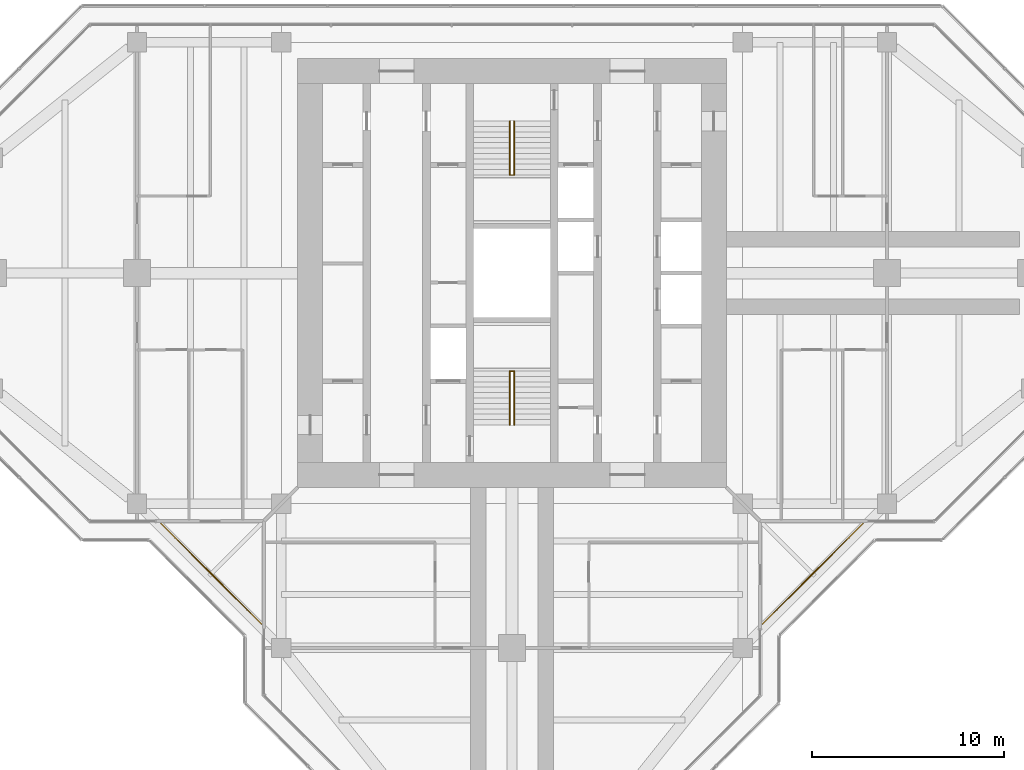
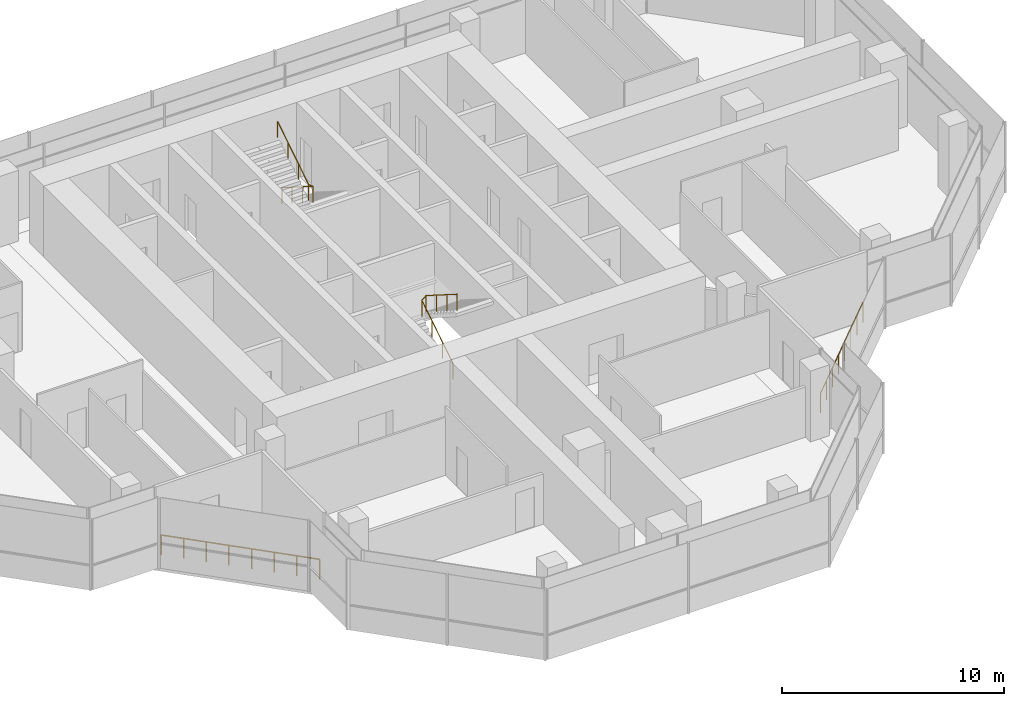
# One storey, part 16 of 16: 4 railings.
"""IFC4 building model written with IfcOpenShell, lengths in metres."""

from ifc_helpers import new_model, si_unit, direction, frame, origin, origin_2d, place, context, subcontext, project, spatial, circle, extrude, material, type_object, element, save


model = new_model("IFC4")

# Units and contexts
model_context = context("Model", 3, precision=1e-05, world=origin(), true_north=direction((0.0, 1.0)))
body_context = subcontext(model_context, "Body", "Model", "MODEL_VIEW")
ifc_project = project(units=[si_unit("LENGTHUNIT", "METRE"), si_unit("AREAUNIT", "SQUARE_METRE"), si_unit("VOLUMEUNIT", "CUBIC_METRE"), si_unit("PLANEANGLEUNIT", "RADIAN"), si_unit("MASSUNIT", "GRAM", prefix="KILO")], contexts=[model_context])

# Site, building, storey
site_placement = place(None, origin())
site = spatial("IfcSite", under=ifc_project, at=site_placement, CompositionType="ELEMENT")
building_placement = place(site_placement, origin())
building = spatial("IfcBuilding", under=site, at=building_placement, Name="Mizan Broadcast Tower", CompositionType="ELEMENT")
storey_placement = place(building_placement, frame((0.0, 0.0, 294.60009765625)))
storey = spatial("IfcBuildingStorey", under=building, at=storey_placement, Name="L70", CompositionType="ELEMENT", Elevation=294.60009765625)

# Railings
ifc_material_1 = material(Name="Stainless steel and glass guard", Category="steel")
railing_type_1 = type_object("IfcRailingType", Name="GUARD 1100", PredefinedType="GUARDRAIL", material=ifc_material_1)
railing_1_placement = place(storey_placement, frame((-18.2578125, -13.030029296875, 0.0)))
element("IfcRailing", 1, at=railing_1_placement, inside=storey, type_object=railing_type_1, Name="Winter garden guard L70 W", PredefinedType="GUARDRAIL", context=body_context, shape_type="SweptSolid", body=[
    extrude(circle(Radius=0.02392578125, at=origin_2d()), frame((0.0, 0.0, 1.076171875), z_axis=(0.707106781187, -0.707106781187, 0.0), x_axis=(0.707106781187, 0.707106781187, 0.0)), (0.0, 0.0, 1.0), 7.393310546875),
    extrude(circle(Radius=0.02099609375, at=origin_2d()), origin(), (0.0, 0.0, 1.0), 1.052001953125),
    extrude(circle(Radius=0.02099609375, at=origin_2d()), frame((0.746826171875, -0.746826171875, 0.0)), (0.0, 0.0, 1.0), 1.052001953125),
    extrude(circle(Radius=0.02099609375, at=origin_2d()), frame((1.49365234375, -1.49365234375, 0.0)), (0.0, 0.0, 1.0), 1.052001953125),
    extrude(circle(Radius=0.02099609375, at=origin_2d()), frame((2.240478515625, -2.240478515625, 0.0)), (0.0, 0.0, 1.0), 1.052001953125),
    extrude(circle(Radius=0.02099609375, at=origin_2d()), frame((2.9873046875, -2.9873046875, 0.0)), (0.0, 0.0, 1.0), 1.052001953125),
    extrude(circle(Radius=0.02099609375, at=origin_2d()), frame((3.734130859375, -3.734130859375, 0.0)), (0.0, 0.0, 1.0), 1.052001953125),
    extrude(circle(Radius=0.02099609375, at=origin_2d()), frame((4.48095703125, -4.48095703125, 0.0)), (0.0, 0.0, 1.0), 1.052001953125),
    extrude(circle(Radius=0.02099609375, at=origin_2d()), frame((5.227783203125, -5.227783203125, 0.0)), (0.0, 0.0, 1.0), 1.052001953125),
])
railing_2_placement = place(storey_placement, frame((13.030029296875, -18.2578125, 0.0)))
element("IfcRailing", 2, at=railing_2_placement, inside=storey, type_object=railing_type_1, Name="Winter garden guard L70 S", PredefinedType="GUARDRAIL", context=body_context, shape_type="SweptSolid", body=[
    extrude(circle(Radius=0.02392578125, at=origin_2d()), frame((0.0, 0.0, 1.076171875), z_axis=(0.707106781187, 0.707106781187, 0.0), x_axis=(-0.707106781187, 0.707106781187, 0.0)), (0.0, 0.0, 1.0), 7.393310546875),
    extrude(circle(Radius=0.02099609375, at=origin_2d()), origin(), (0.0, 0.0, 1.0), 1.052001953125),
    extrude(circle(Radius=0.02099609375, at=origin_2d()), frame((0.746826171875, 0.746826171875, 0.0)), (0.0, 0.0, 1.0), 1.052001953125),
    extrude(circle(Radius=0.02099609375, at=origin_2d()), frame((1.49365234375, 1.49365234375, 0.0)), (0.0, 0.0, 1.0), 1.052001953125),
    extrude(circle(Radius=0.02099609375, at=origin_2d()), frame((2.240478515625, 2.240478515625, 0.0)), (0.0, 0.0, 1.0), 1.052001953125),
    extrude(circle(Radius=0.02099609375, at=origin_2d()), frame((2.9873046875, 2.9873046875, 0.0)), (0.0, 0.0, 1.0), 1.052001953125),
    extrude(circle(Radius=0.02099609375, at=origin_2d()), frame((3.734130859375, 3.734130859375, 0.0)), (0.0, 0.0, 1.0), 1.052001953125),
    extrude(circle(Radius=0.02099609375, at=origin_2d()), frame((4.48095703125, 4.48095703125, 0.0)), (0.0, 0.0, 1.0), 1.052001953125),
    extrude(circle(Radius=0.02099609375, at=origin_2d()), frame((5.227783203125, 5.227783203125, 0.0)), (0.0, 0.0, 1.0), 1.052001953125),
])
ifc_material_2 = material(Name="Stainless steel", Category="steel")
railing_type_2 = type_object("IfcRailingType", Name="HANDRAIL 50", PredefinedType="HANDRAIL", material=ifc_material_2)
railing_3_placement = place(storey_placement, frame((-0.110107421875, -7.89990234375, 0.17724609375)))
element("IfcRailing", 3, at=railing_3_placement, inside=storey, type_object=railing_type_2, Name="Stair A handrail", PredefinedType="HANDRAIL", context=body_context, shape_type="SweptSolid", body=[
    extrude(circle(Radius=0.02392578125, at=origin_2d()), frame((0.0, 0.0, 0.8759765625), z_axis=(0.0, 0.844887892834, 0.53494340686), x_axis=(-1.0, 0.0, 0.0)), (0.0, 0.0, 1.0), 3.313720703125),
    extrude(circle(Radius=0.02392578125, at=origin_2d()), frame((0.0, 2.7998046875, 2.6484375), z_axis=(0.779011685263, 0.0, 0.627009405212), x_axis=(0.0, 1.0, 0.0)), (0.0, 0.0, 1.0), 0.28271484375),
    extrude(circle(Radius=0.02392578125, at=origin_2d()), frame((0.22021484375, 2.7998046875, 2.82568359375), z_axis=(0.0, -0.844887892834, 0.53494340686), x_axis=(1.0, 0.0, 0.0)), (0.0, 0.0, 1.0), 3.313720703125),
    extrude(circle(Radius=0.02099609375, at=origin_2d()), origin(), (0.0, 0.0, 1.0), 0.851806640625),
    extrude(circle(Radius=0.02099609375, at=origin_2d()), frame((0.0, 0.933349609375, 0.5908203125)), (0.0, 0.0, 1.0), 0.851806640625),
    extrude(circle(Radius=0.02099609375, at=origin_2d()), frame((0.0, 1.866455078125, 1.181884765625)), (0.0, 0.0, 1.0), 0.851806640625),
    extrude(circle(Radius=0.02099609375, at=origin_2d()), frame((0.0, 2.7998046875, 1.772705078125)), (0.0, 0.0, 1.0), 0.851806640625),
    extrude(circle(Radius=0.02099609375, at=origin_2d()), frame((0.22021484375, 2.7998046875, 1.949951171875)), (0.0, 0.0, 1.0), 0.851806640625),
    extrude(circle(Radius=0.02099609375, at=origin_2d()), frame((0.22021484375, 1.866455078125, 2.540771484375)), (0.0, 0.0, 1.0), 0.851806640625),
    extrude(circle(Radius=0.02099609375, at=origin_2d()), frame((0.22021484375, 0.933349609375, 3.1318359375)), (0.0, 0.0, 1.0), 0.851806640625),
    extrude(circle(Radius=0.02099609375, at=origin_2d()), frame((0.22021484375, 0.0, 3.72265625)), (0.0, 0.0, 1.0), 0.851806640625),
])
railing_4_placement = place(storey_placement, frame((0.110107421875, 7.89990234375, 0.17724609375)))
element("IfcRailing", 4, at=railing_4_placement, inside=storey, type_object=railing_type_2, Name="Stair B handrail", PredefinedType="HANDRAIL", context=body_context, shape_type="SweptSolid", body=[
    extrude(circle(Radius=0.02392578125, at=origin_2d()), frame((0.0, 0.0, 0.8759765625), z_axis=(0.0, -0.844887892834, 0.53494340686), x_axis=(1.0, 0.0, 0.0)), (0.0, 0.0, 1.0), 3.313720703125),
    extrude(circle(Radius=0.02392578125, at=origin_2d()), frame((0.0, -2.7998046875, 2.6484375), z_axis=(-0.779011685263, 0.0, 0.627009405212), x_axis=(0.0, -1.0, 0.0)), (0.0, 0.0, 1.0), 0.28271484375),
    extrude(circle(Radius=0.02392578125, at=origin_2d()), frame((-0.22021484375, -2.7998046875, 2.82568359375), z_axis=(0.0, 0.844887892834, 0.53494340686), x_axis=(-1.0, 0.0, 0.0)), (0.0, 0.0, 1.0), 3.313720703125),
    extrude(circle(Radius=0.02099609375, at=origin_2d()), origin(), (0.0, 0.0, 1.0), 0.851806640625),
    extrude(circle(Radius=0.02099609375, at=origin_2d()), frame((0.0, -0.933349609375, 0.5908203125)), (0.0, 0.0, 1.0), 0.851806640625),
    extrude(circle(Radius=0.02099609375, at=origin_2d()), frame((0.0, -1.866455078125, 1.181884765625)), (0.0, 0.0, 1.0), 0.851806640625),
    extrude(circle(Radius=0.02099609375, at=origin_2d()), frame((0.0, -2.7998046875, 1.772705078125)), (0.0, 0.0, 1.0), 0.851806640625),
    extrude(circle(Radius=0.02099609375, at=origin_2d()), frame((-0.22021484375, -2.7998046875, 1.949951171875)), (0.0, 0.0, 1.0), 0.851806640625),
    extrude(circle(Radius=0.02099609375, at=origin_2d()), frame((-0.22021484375, -1.866455078125, 2.540771484375)), (0.0, 0.0, 1.0), 0.851806640625),
    extrude(circle(Radius=0.02099609375, at=origin_2d()), frame((-0.22021484375, -0.933349609375, 3.1318359375)), (0.0, 0.0, 1.0), 0.851806640625),
    extrude(circle(Radius=0.02099609375, at=origin_2d()), frame((-0.22021484375, 0.0, 3.72265625)), (0.0, 0.0, 1.0), 0.851806640625),
])

save(model, "model.ifc")
